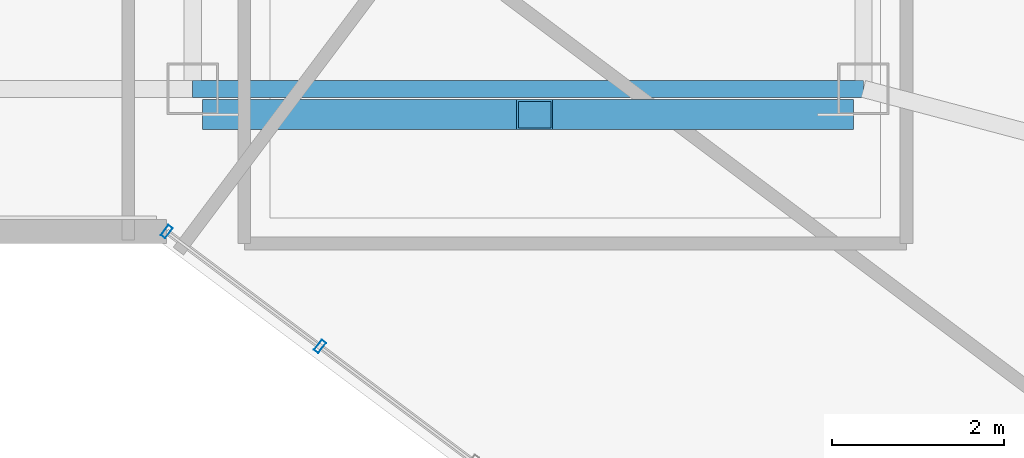
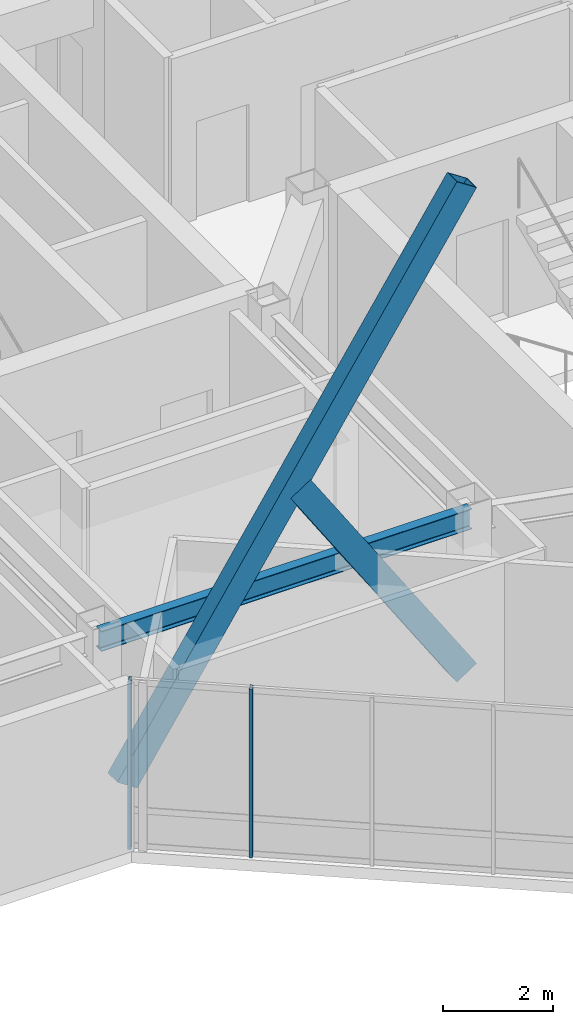
# One storey, part 5 of 21: 4 members, 1 beam, 1 element without a shape of its own.
"""IFC4 building model written with IfcOpenShell, lengths in metres."""

import ifcopenshell
import ifcopenshell.guid

model = None  # the IFC model being written
_history = None  # IfcOwnerHistory: only IFC2X3 demands one
_inside = {}  # id of a spatial element -> (the spatial element, [elements in it])
_under = {}  # id of a project, library or spatial element -> (it, [spatial elements below it])
_declared = {}  # id of a project -> (the project, [libraries it declares])
_typed = {}  # id of a type object -> (the type object, [elements of that type])
_made_of = {}  # id of a material, layer set ... -> (it, [elements and type objects made of it])


def new_model(schema):
    """Start an empty IFC model of exactly this schema.

    Asked for "IFC4X3", IfcOpenShell would pick the latest addendum, in which some entities
    have other attributes; the version numbers below select the first issue.
    IFC2X3 requires an IfcOwnerHistory on every rooted entity: one is made here for all.
    """
    global model, _history
    if schema == "IFC4X3":
        model = ifcopenshell.file(schema_version=(4, 3, 0, 0))
    else:
        model = ifcopenshell.file(schema=schema)
    _inside.clear()
    _under.clear()
    _declared.clear()
    _typed.clear()
    _made_of.clear()
    _history = None
    if model.schema == "IFC2X3":
        org = make("IfcOrganization", Name="unknown")
        user = make(
            "IfcPersonAndOrganization",
            ThePerson=make("IfcPerson", FamilyName="unknown"),
            TheOrganization=org,
        )
        app = make(
            "IfcApplication",
            ApplicationDeveloper=org,
            Version="unknown",
            ApplicationFullName="unknown",
            ApplicationIdentifier="unknown",
        )
        _history = make(
            "IfcOwnerHistory",
            OwningUser=user,
            OwningApplication=app,
            ChangeAction="ADDED",
            CreationDate=0,
        )
    return model


def make(cls, **values):
    """One entity of the class cls with the attributes given. An attribute that is None is left unset."""
    return model.create_entity(
        cls, **{name: value for name, value in values.items() if value is not None}
    )


def rooted(cls, **values):
    """An entity with a GlobalId (a new one), such as an element, a storey or a relation."""
    return make(cls, GlobalId=ifcopenshell.guid.new(), OwnerHistory=_history, **values)


def si_unit(unit_type, name, prefix=None):
    """IfcSIUnit, for example si_unit("LENGTHUNIT", "METRE", prefix="MILLI")."""
    return make("IfcSIUnit", UnitType=unit_type, Prefix=prefix, Name=name)


def assignment(units):
    """IfcUnitAssignment: the units of a project."""
    return None if units is None else make("IfcUnitAssignment", Units=units)


def point(xyz):
    """IfcCartesianPoint."""
    return None if xyz is None else make("IfcCartesianPoint", Coordinates=xyz)


def direction(xyz):
    """IfcDirection."""
    return None if xyz is None else make("IfcDirection", DirectionRatios=xyz)


def frame(location, z_axis=None, x_axis=None):
    """IfcAxis2Placement3D, a coordinate frame: its origin and axes. An axis left out is left unset."""
    return make(
        "IfcAxis2Placement3D",
        Location=point(location),
        Axis=direction(z_axis),
        RefDirection=direction(x_axis),
    )


def frame_2d(location, x_axis=None):
    """IfcAxis2Placement2D, a coordinate frame in the plane: its origin and x axis."""
    return make(
        "IfcAxis2Placement2D", Location=point(location), RefDirection=direction(x_axis)
    )


def origin():
    """The frame at (0, 0, 0) with its axes left unset."""
    return frame((0.0, 0.0, 0.0))


def origin_2d():
    """The frame at (0, 0) in the plane with its x axis left unset."""
    return frame_2d((0.0, 0.0))


def place(relative_to, where):
    """IfcLocalPlacement: puts the frame where relative to a parent placement (None: the world)."""
    return make(
        "IfcLocalPlacement", PlacementRelTo=relative_to, RelativePlacement=where
    )


def context(
    kind, dimensions, precision=None, world=None, true_north=None, identifier=None
):
    """IfcGeometricRepresentationContext, for example the 3D "Model" context."""
    return make(
        "IfcGeometricRepresentationContext",
        ContextIdentifier=identifier,
        ContextType=kind,
        CoordinateSpaceDimension=dimensions,
        Precision=precision,
        WorldCoordinateSystem=world,
        TrueNorth=true_north,
    )


def subcontext(parent, identifier, kind, view, scale=None):
    """IfcGeometricRepresentationSubContext, for example "Body" below "Model"."""
    return make(
        "IfcGeometricRepresentationSubContext",
        ContextIdentifier=identifier,
        ContextType=kind,
        ParentContext=parent,
        TargetScale=scale,
        TargetView=view,
    )


def project(units=None, contexts=None):
    """IfcProject with its units and contexts."""
    return rooted(
        "IfcProject",
        Name="project",
        RepresentationContexts=contexts,
        UnitsInContext=assignment(units),
    )


def spatial(cls, under=None, at=None, **own):
    """A site, building, storey or space (cls), placed at a placement, below another one or the project."""
    s = rooted(cls, ObjectPlacement=at, **own)
    if under is not None:
        _under.setdefault(under.id(), (under, []))[1].append(s)
    return s


def profile(cls, at=None, kind="AREA", **sizes):
    """A parametric profile (cls). Its sizes go by their IFC names, for example OverallWidth=200.0."""
    return make(cls, ProfileType=kind, Position=at, **sizes)


def hollow_rectangle(**sizes):
    """IfcRectangleHollowProfileDef."""
    return profile("IfcRectangleHollowProfileDef", **sizes)


def i_section(**sizes):
    """IfcIShapeProfileDef."""
    return profile("IfcIShapeProfileDef", **sizes)


def extrude(swept, where, along, depth):
    """IfcExtrudedAreaSolid: the profile swept, set in the frame where, extruded along a direction by depth."""
    return make(
        "IfcExtrudedAreaSolid",
        SweptArea=swept,
        Position=where,
        ExtrudedDirection=direction(along),
        Depth=depth,
    )


def shape(context_of_items, identifier, shape_type, items):
    """IfcShapeRepresentation: the items that make up one representation, for example the "Body"."""
    return make(
        "IfcShapeRepresentation",
        ContextOfItems=context_of_items,
        RepresentationIdentifier=identifier,
        RepresentationType=shape_type,
        Items=items,
    )


def material(Name=None, Category=None):
    """IfcMaterial."""
    return make("IfcMaterial", Name=Name, Category=Category)


def layer(
    of_material, thickness, ventilated=None, Name=None, Category=None, Priority=None
):
    """IfcMaterialLayer: one layer of a wall or slab, of a material (None: an air gap)."""
    return make(
        "IfcMaterialLayer",
        Material=of_material,
        LayerThickness=thickness,
        IsVentilated=ventilated,
        Name=Name,
        Category=Category,
        Priority=Priority,
    )


def layer_set(layers, Name=None):
    """IfcMaterialLayerSet."""
    return make("IfcMaterialLayerSet", MaterialLayers=layers, LayerSetName=Name)


def material_profile(
    of_material, cross_section, Name=None, Category=None, Priority=None
):
    """IfcMaterialProfile: a cross section and its material."""
    return make(
        "IfcMaterialProfile",
        Name=Name,
        Material=of_material,
        Profile=cross_section,
        Priority=Priority,
        Category=Category,
    )


def profile_set(profiles, Name=None, composite=None):
    """IfcMaterialProfileSet."""
    return make(
        "IfcMaterialProfileSet",
        Name=Name,
        MaterialProfiles=profiles,
        CompositeProfile=composite,
    )


def made_of(thing, what):
    """Note that an element or type object is made of a material, layer set ...; save() writes the relation."""
    if what is not None:
        _made_of.setdefault(what.id(), (what, []))[1].append(thing)
    return thing


def type_object(cls, material=None, **own):
    """A type object (cls), such as IfcWallType, which elements share."""
    return made_of(rooted(cls, **own), material)


def element(
    cls,
    number,
    at=None,
    inside=None,
    cuts=None,
    type_object=None,
    material=None,
    context=None,
    identifier="Body",
    shape_type=None,
    held_by="IfcProductDefinitionShape",
    body=None,
    shapes=None,
    **own,
):
    """One element of the class cls, such as IfcWall. Its Tag is "e" and its number.

    at: its placement. inside: the storey or other place that contains it. cuts: it is an
    opening in that element (IfcRelVoidsElement). A single representation is given by context,
    identifier, shape_type and body (its items); several are given by shapes. held_by: the class
    of the entity that holds the representations. save() writes the other relations.
    """
    e = rooted(cls, Tag="e%d" % number, ObjectPlacement=at, **own)
    if body is not None:
        shapes = [shape(context, identifier, shape_type, body)]
    if shapes is not None:
        e.Representation = make(held_by, Representations=shapes)
    if inside is not None:
        _inside.setdefault(inside.id(), (inside, []))[1].append(e)
    if cuts is not None:
        rooted(
            "IfcRelVoidsElement", RelatingBuildingElement=cuts, RelatedOpeningElement=e
        )
    if type_object is not None:
        _typed.setdefault(type_object.id(), (type_object, []))[1].append(e)
    return made_of(e, material)


def aggregate(whole, parts):
    """IfcRelAggregates: a whole, such as a stair, and the parts it consists of."""
    return rooted("IfcRelAggregates", RelatingObject=whole, RelatedObjects=parts)


def save(model, path):
    """Write the relations noted so far, then the file.

    IfcRelAggregates (storeys below a building ...), IfcRelContainedInSpatialStructure (elements
    in a storey), IfcRelDefinesByType, IfcRelAssociatesMaterial and IfcRelDeclares: one each for
    every whole, place, type object, material and project.
    """
    for whole, parts in _under.values():
        aggregate(whole, parts)
    for where, things in _inside.values():
        rooted(
            "IfcRelContainedInSpatialStructure",
            RelatedElements=things,
            RelatingStructure=where,
        )
    for kind, things in _typed.values():
        rooted("IfcRelDefinesByType", RelatedObjects=things, RelatingType=kind)
    for what, things in _made_of.values():
        rooted("IfcRelAssociatesMaterial", RelatedObjects=things, RelatingMaterial=what)
    for by, libraries in _declared.values():
        rooted("IfcRelDeclares", RelatingContext=by, RelatedDefinitions=libraries)
    model.write(path)


model = new_model("IFC4")

# Units and contexts
model_context = context("Model", 3, precision=1e-05, world=origin(), true_north=direction((0.0, 1.0)))
body_context = subcontext(model_context, "Body", "Model", "MODEL_VIEW")
ifc_project = project(units=[si_unit("LENGTHUNIT", "METRE"), si_unit("AREAUNIT", "SQUARE_METRE"), si_unit("VOLUMEUNIT", "CUBIC_METRE"), si_unit("PLANEANGLEUNIT", "RADIAN"), si_unit("MASSUNIT", "GRAM", prefix="KILO")], contexts=[model_context])

# Site, building, storey
site_placement = place(None, origin())
site = spatial("IfcSite", under=ifc_project, at=site_placement, CompositionType="ELEMENT")
building_placement = place(site_placement, origin())
building = spatial("IfcBuilding", under=site, at=building_placement, Name="Hatsunagi Terrace Concourse", CompositionType="ELEMENT")
storey_placement = place(building_placement, frame((0.0, 0.0, 265.949951171875)))
storey = spatial("IfcBuildingStorey", under=building, at=storey_placement, Name="L70", CompositionType="ELEMENT", Elevation=265.949951171875)

# Curtain wall, members
ifc_material_1 = material(Name="Anodised Aluminium Alloy 6063-T5", Category="aluminium")
ifc_layer = layer(ifc_material_1, 0.199951171875)
ifc_layer_set = layer_set([ifc_layer], Name="CrownWintergarden_CW06")
curtain_wall_type = type_object("IfcCurtainWallType", Name="CrownWintergarden_CW06", PredefinedType="NOTDEFINED", material=ifc_layer_set)
curtain_wall_placement = place(storey_placement, origin())
curtain_wall = element("IfcCurtainWall", 1, at=curtain_wall_placement, inside=storey, type_object=curtain_wall_type, Name="Unitised Curtain Wall CW-06 CW-L70-05", PredefinedType="NOTDEFINED")
ifc_material_2 = material(Name="Anodised Aluminium Alloy 6063-T5", Category="aluminium")
ifc_material_profile_1 = material_profile(ifc_material_2, hollow_rectangle(XDim=0.06494140625, YDim=0.14990234375, WallThickness=0.00390625, at=origin_2d()), Name="ALU-MUL-150x65x4")
ifc_profile_set_1 = profile_set([ifc_material_profile_1], Name="Anodised Aluminium Alloy 6063-T5")
member_type_1 = type_object("IfcMemberType", Name="CurtainWallMullion_Crown_150x65", PredefinedType="MULLION", material=ifc_profile_set_1)
member_1_placement = place(storey_placement, frame((27.029052734375, 22.2041015625, 0.0), z_axis=(0.0, 0.0, 1.0), x_axis=(-0.800007305671, 0.599990258982, 0.0)))
member_1 = element("IfcMember", 2, at=member_1_placement, type_object=member_type_1, Name="Curtain Wall Mullion MUL-03", PredefinedType="MULLION", context=body_context, shape_type="SweptSolid", body=[
    extrude(hollow_rectangle(XDim=0.06494140625, YDim=0.14990234375, WallThickness=0.00390625, at=origin_2d()), origin(), (0.0, 0.0, 1.0), 3.75),
])
member_2_placement = place(storey_placement, frame((25.2470703125, 23.5400390625, 0.0), z_axis=(0.0, 0.0, 1.0), x_axis=(-0.800007305671, 0.599990258982, 0.0)))
member_2 = element("IfcMember", 3, at=member_2_placement, type_object=member_type_1, Name="Curtain Wall Mullion MUL-03", PredefinedType="MULLION", context=body_context, shape_type="SweptSolid", body=[
    extrude(hollow_rectangle(XDim=0.06494140625, YDim=0.14990234375, WallThickness=0.00390625, at=origin_2d()), origin(), (0.0, 0.0, 1.0), 3.75),
])
aggregate(curtain_wall, [member_1, member_2])

# Beam
ifc_material_3 = material(Name="Steel SN490B", Category="steel")
ifc_material_profile_2 = material_profile(ifc_material_3, i_section(OverallWidth=0.199951171875, OverallDepth=0.449951171875, WebThickness=0.009033203125, FlangeThickness=0.013916015625, FilletRadius=0.01611328125, at=origin_2d()), Name="H-450x200x9x14")
ifc_profile_set_2 = profile_set([ifc_material_profile_2], Name="Steel SN490B")
beam_type = type_object("IfcBeamType", Name="PerimeterSpandrel_H_450x200", PredefinedType="SPANDREL", material=ifc_profile_set_2)
beam_placement = place(storey_placement, frame((25.550048828125, 25.199951171875, 3.525146484375), z_axis=(1.0, 0.0, 0.0), x_axis=(0.0, 1.0, 0.0)))
element("IfcBeam", 4, at=beam_placement, inside=storey, type_object=beam_type, Name="Beam SP-02 BM-L70-WS-25", PredefinedType="SPANDREL", context=body_context, shape_type="SweptSolid", body=[
    extrude(i_section(OverallWidth=0.199951171875, OverallDepth=0.449951171875, WebThickness=0.009033203125, FlangeThickness=0.013916015625, FilletRadius=0.01611328125, at=origin_2d()), origin(), (0.0, 0.0, 1.0), 7.800048828125),
])

# Members
ifc_material_4 = material(Name="Steel SN490B", Category="steel")
ifc_material_profile_3 = material_profile(ifc_material_4, hollow_rectangle(XDim=0.35009765625, YDim=0.5, WallThickness=0.02197265625, at=origin_2d()), Name="RHS-500x350x22")
ifc_profile_set_3 = profile_set([ifc_material_profile_3], Name="Steel SN490B")
member_type_2 = type_object("IfcMemberType", Name="PerimeterXBrace_Upper_RHS_500x350x22", PredefinedType="BRACE", material=ifc_profile_set_3)
member_3_placement = place(storey_placement, frame((25.875, 24.89990234375, 0.43994140625), z_axis=(0.549536543594, 0.0, 0.835469680632), x_axis=(0.0, 1.0, 0.0)))
element("IfcMember", 5, at=member_3_placement, inside=storey, type_object=member_type_2, Name="Perimeter X-Brace XB-03 XB-L70-SEA", PredefinedType="BRACE", context=body_context, shape_type="SweptSolid", body=[
    extrude(hollow_rectangle(XDim=0.35009765625, YDim=0.5, WallThickness=0.02197265625, at=origin_2d()), origin(), (0.0, 0.0, 1.0), 13.0107421875),
])
member_4_placement = place(storey_placement, frame((29.527099609375, 24.89990234375, 5.758056640625), z_axis=(0.549511535421, 0.0, -0.835486129412), x_axis=(0.0, 1.0, 0.0)))
element("IfcMember", 6, at=member_4_placement, inside=storey, type_object=member_type_2, Name="Perimeter X-Brace Split Lower XB-03 XB-L70-SEB2", PredefinedType="BRACE", context=body_context, shape_type="SweptSolid", body=[
    extrude(hollow_rectangle(XDim=0.35009765625, YDim=0.5, WallThickness=0.02197265625, at=origin_2d()), origin(), (0.0, 0.0, 1.0), 6.365234375),
])

save(model, "model.ifc")
